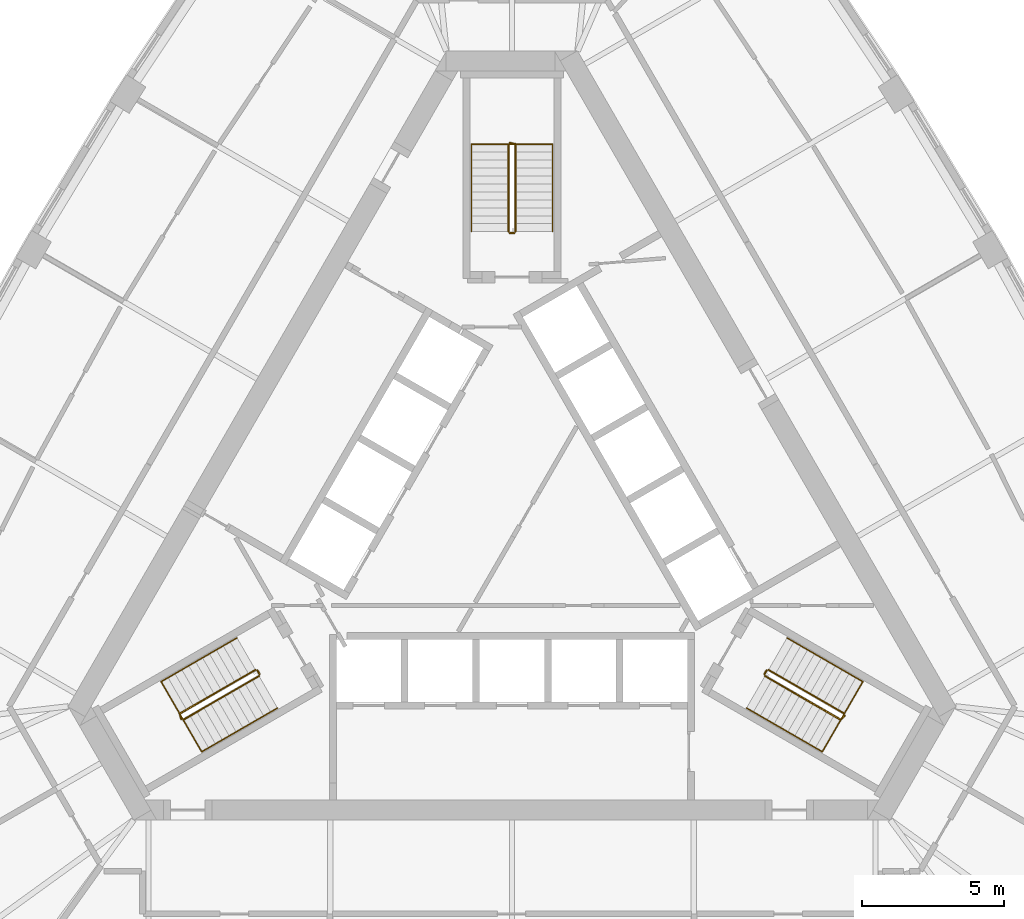
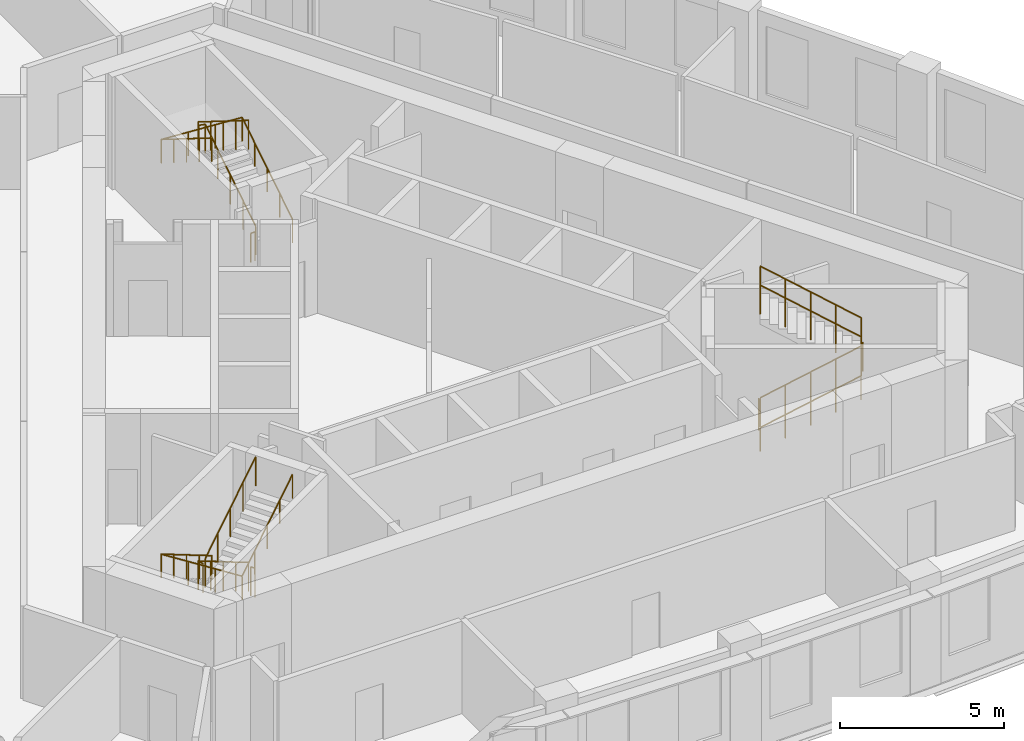
# One storey, part 11 of 11: 12 railings.
"""IFC4 building model written with IfcOpenShell, lengths in metres."""

from ifc_helpers import new_model, si_unit, direction, frame, origin, origin_2d, place, context, subcontext, project, spatial, circle, extrude, material, type_object, element, save


model = new_model("IFC4")

# Units and contexts
model_context = context("Model", 3, precision=1e-05, world=origin(), true_north=direction((0.0, 1.0)))
body_context = subcontext(model_context, "Body", "Model", "MODEL_VIEW")
ifc_project = project(units=[si_unit("LENGTHUNIT", "METRE"), si_unit("AREAUNIT", "SQUARE_METRE"), si_unit("VOLUMEUNIT", "CUBIC_METRE"), si_unit("PLANEANGLEUNIT", "RADIAN"), si_unit("MASSUNIT", "GRAM", prefix="KILO")], contexts=[model_context])

# Site, building, storey
site_placement = place(None, origin())
site = spatial("IfcSite", under=ifc_project, at=site_placement, CompositionType="ELEMENT")
building_placement = place(site_placement, origin())
building = spatial("IfcBuilding", under=site, at=building_placement, Name="Mestral Congress Tower", CompositionType="ELEMENT")
storey_placement = place(building_placement, frame((0.0, 0.0, 210.0)))
storey = spatial("IfcBuildingStorey", under=building, at=storey_placement, Name="L49", CompositionType="ELEMENT", Elevation=210.0)

# Railings
ifc_material_1 = material(Name="Steel balustrade", Category="steel")
railing_type_1 = type_object("IfcRailingType", Name="Stair guard 1100", PredefinedType="GUARDRAIL", material=ifc_material_1)
railing_1_placement = place(storey_placement, frame((8.90087890625, -5.283203125, 0.175048828125)))
element("IfcRailing", 1, at=railing_1_placement, inside=storey, type_object=railing_type_1, Name="L49 ST1 stair guard 1", PredefinedType="GUARDRAIL", context=body_context, shape_type="SweptSolid", body=[
    extrude(circle(Radius=0.02392578125, at=origin_2d()), frame((0.0, 0.0, 1.076171875), z_axis=(0.734364028329, -0.424015404183, 0.530019255228), x_axis=(0.500026652407, 0.866010015463, 0.0)), (0.0, 0.0, 1.0), 3.632080078125),
    extrude(circle(Radius=0.02392578125, at=origin_2d()), frame((2.667236328125, -1.5400390625, 3.0009765625), z_axis=(0.695164929852, 0.718850276695, 0.0), x_axis=(-0.718850276695, 0.695164929852, 0.0)), (0.0, 0.0, 1.0), 0.2060546875),
    extrude(circle(Radius=0.02099609375, at=origin_2d()), origin(), (0.0, 0.0, 1.0), 1.052001953125),
    extrude(circle(Radius=0.02099609375, at=origin_2d()), frame((0.666748046875, -0.385009765625, 0.481201171875)), (0.0, 0.0, 1.0), 1.052001953125),
    extrude(circle(Radius=0.02099609375, at=origin_2d()), frame((1.33349609375, -0.77001953125, 0.96240234375)), (0.0, 0.0, 1.0), 1.052001953125),
    extrude(circle(Radius=0.02099609375, at=origin_2d()), frame((2.00048828125, -1.155029296875, 1.44384765625)), (0.0, 0.0, 1.0), 1.052001953125),
    extrude(circle(Radius=0.02099609375, at=origin_2d()), frame((2.667236328125, -1.5400390625, 1.925048828125)), (0.0, 0.0, 1.0), 1.052001953125),
    extrude(circle(Radius=0.02099609375, at=origin_2d()), frame((2.810546875, -1.391845703125, 1.925048828125)), (0.0, 0.0, 1.0), 1.052001953125),
])
railing_2_placement = place(storey_placement, frame((11.693115234375, -6.606689453125, 2.27490234375)))
element("IfcRailing", 2, at=railing_2_placement, inside=storey, type_object=railing_type_1, Name="L49 ST1 stair guard 2", PredefinedType="GUARDRAIL", context=body_context, shape_type="SweptSolid", body=[
    extrude(circle(Radius=0.02392578125, at=origin_2d()), frame((0.0, 0.0, 1.076171875), z_axis=(-0.734364028329, 0.424015404183, 0.530019255228), x_axis=(-0.500026652407, -0.866010015463, 0.0)), (0.0, 0.0, 1.0), 3.632080078125),
    extrude(circle(Radius=0.02099609375, at=origin_2d()), origin(), (0.0, 0.0, 1.0), 1.052001953125),
    extrude(circle(Radius=0.02099609375, at=origin_2d()), frame((-0.666748046875, 0.385009765625, 0.481201171875)), (0.0, 0.0, 1.0), 1.052001953125),
    extrude(circle(Radius=0.02099609375, at=origin_2d()), frame((-1.33349609375, 0.77001953125, 0.96240234375)), (0.0, 0.0, 1.0), 1.052001953125),
    extrude(circle(Radius=0.02099609375, at=origin_2d()), frame((-2.00048828125, 1.155029296875, 1.44384765625)), (0.0, 0.0, 1.0), 1.052001953125),
    extrude(circle(Radius=0.02099609375, at=origin_2d()), frame((-2.667236328125, 1.5400390625, 1.925048828125)), (0.0, 0.0, 1.0), 1.052001953125),
])
railing_3_placement = place(storey_placement, frame((8.882568359375, -5.21484375, 0.0)))
element("IfcRailing", 3, at=railing_3_placement, inside=storey, type_object=railing_type_1, Name="L49 ST1 stair guard 3", PredefinedType="GUARDRAIL", context=body_context, shape_type="SweptSolid", body=[
    extrude(circle(Radius=0.02392578125, at=origin_2d()), frame((0.0, 0.0, 1.076171875), z_axis=(0.499816412211, 0.866131372301, 0.0), x_axis=(-0.866131372301, 0.499816412211, 0.0)), (0.0, 0.0, 1.0), 0.14990234375),
    extrude(circle(Radius=0.02099609375, at=origin_2d()), origin(), (0.0, 0.0, 1.0), 1.052001953125),
    extrude(circle(Radius=0.02099609375, at=origin_2d()), frame((0.074951171875, 0.1298828125, 0.0)), (0.0, 0.0, 1.0), 1.052001953125),
])
railing_4_placement = place(storey_placement, frame((0.125, 10.35009765625, 0.175048828125)))
element("IfcRailing", 4, at=railing_4_placement, inside=storey, type_object=railing_type_1, Name="L49 ST2 stair guard 1", PredefinedType="GUARDRAIL", context=body_context, shape_type="SweptSolid", body=[
    extrude(circle(Radius=0.02392578125, at=origin_2d()), frame((0.0, 0.0, 1.076171875), z_axis=(0.0, 0.847979421464, 0.530029150871), x_axis=(-1.0, 0.0, 0.0)), (0.0, 0.0, 1.0), 3.632080078125),
    extrude(circle(Radius=0.02392578125, at=origin_2d()), frame((0.0, 3.079833984375, 3.0009765625), z_axis=(-0.970072785993, 0.242814311512, 0.0), x_axis=(-0.242814311512, -0.970072785993, 0.0)), (0.0, 0.0, 1.0), 0.2060546875),
    extrude(circle(Radius=0.02099609375, at=origin_2d()), origin(), (0.0, 0.0, 1.0), 1.052001953125),
    extrude(circle(Radius=0.02099609375, at=origin_2d()), frame((0.0, 0.77001953125, 0.481201171875)), (0.0, 0.0, 1.0), 1.052001953125),
    extrude(circle(Radius=0.02099609375, at=origin_2d()), frame((0.0, 1.5400390625, 0.96240234375)), (0.0, 0.0, 1.0), 1.052001953125),
    extrude(circle(Radius=0.02099609375, at=origin_2d()), frame((0.0, 2.309814453125, 1.44384765625)), (0.0, 0.0, 1.0), 1.052001953125),
    extrude(circle(Radius=0.02099609375, at=origin_2d()), frame((0.0, 3.079833984375, 1.925048828125)), (0.0, 0.0, 1.0), 1.052001953125),
    extrude(circle(Radius=0.02099609375, at=origin_2d()), frame((-0.199951171875, 3.1298828125, 1.925048828125)), (0.0, 0.0, 1.0), 1.052001953125),
])
railing_5_placement = place(storey_placement, frame((-0.125, 13.429931640625, 2.27490234375)))
element("IfcRailing", 5, at=railing_5_placement, inside=storey, type_object=railing_type_1, Name="L49 ST2 stair guard 2", PredefinedType="GUARDRAIL", context=body_context, shape_type="SweptSolid", body=[
    extrude(circle(Radius=0.02392578125, at=origin_2d()), frame((0.0, 0.0, 1.076171875), z_axis=(0.0, -0.847979421464, 0.530029150871), x_axis=(1.0, 0.0, 0.0)), (0.0, 0.0, 1.0), 3.632080078125),
    extrude(circle(Radius=0.02099609375, at=origin_2d()), origin(), (0.0, 0.0, 1.0), 1.052001953125),
    extrude(circle(Radius=0.02099609375, at=origin_2d()), frame((0.0, -0.77001953125, 0.481201171875)), (0.0, 0.0, 1.0), 1.052001953125),
    extrude(circle(Radius=0.02099609375, at=origin_2d()), frame((0.0, -1.5400390625, 0.96240234375)), (0.0, 0.0, 1.0), 1.052001953125),
    extrude(circle(Radius=0.02099609375, at=origin_2d()), frame((0.0, -2.309814453125, 1.44384765625)), (0.0, 0.0, 1.0), 1.052001953125),
    extrude(circle(Radius=0.02099609375, at=origin_2d()), frame((0.0, -3.079833984375, 1.925048828125)), (0.0, 0.0, 1.0), 1.052001953125),
])
railing_6_placement = place(storey_placement, frame((0.074951171875, 10.300048828125, 0.0)))
element("IfcRailing", 6, at=railing_6_placement, inside=storey, type_object=railing_type_1, Name="L49 ST2 stair guard 3", PredefinedType="GUARDRAIL", context=body_context, shape_type="SweptSolid", body=[
    extrude(circle(Radius=0.02392578125, at=origin_2d()), frame((0.0, 0.0, 1.076171875), z_axis=(-1.0, 0.0, 0.0), x_axis=(0.0, -1.0, 0.0)), (0.0, 0.0, 1.0), 0.14990234375),
    extrude(circle(Radius=0.02099609375, at=origin_2d()), origin(), (0.0, 0.0, 1.0), 1.052001953125),
    extrude(circle(Radius=0.02099609375, at=origin_2d()), frame((-0.14990234375, 0.0, 0.0)), (0.0, 0.0, 1.0), 1.052001953125),
])
railing_7_placement = place(storey_placement, frame((-9.02587890625, -5.066650390625, 0.175048828125)))
element("IfcRailing", 7, at=railing_7_placement, inside=storey, type_object=railing_type_1, Name="L49 ST3 stair guard 1", PredefinedType="GUARDRAIL", context=body_context, shape_type="SweptSolid", body=[
    extrude(circle(Radius=0.02392578125, at=origin_2d()), frame((0.0, 0.0, 1.076171875), z_axis=(-0.734364028329, -0.424015404183, 0.530019255228), x_axis=(0.500026652407, -0.866010015463, 0.0)), (0.0, 0.0, 1.0), 3.632080078125),
    extrude(circle(Radius=0.02392578125, at=origin_2d()), frame((-2.667236328125, -1.5400390625, 3.0009765625), z_axis=(0.274721127897, -0.961523947641, 0.0), x_axis=(0.961523947641, 0.274721127897, 0.0)), (0.0, 0.0, 1.0), 0.2060546875),
    extrude(circle(Radius=0.02099609375, at=origin_2d()), origin(), (0.0, 0.0, 1.0), 1.052001953125),
    extrude(circle(Radius=0.02099609375, at=origin_2d()), frame((-0.666748046875, -0.385009765625, 0.481201171875)), (0.0, 0.0, 1.0), 1.052001953125),
    extrude(circle(Radius=0.02099609375, at=origin_2d()), frame((-1.33349609375, -0.77001953125, 0.96240234375)), (0.0, 0.0, 1.0), 1.052001953125),
    extrude(circle(Radius=0.02099609375, at=origin_2d()), frame((-2.00048828125, -1.155029296875, 1.44384765625)), (0.0, 0.0, 1.0), 1.052001953125),
    extrude(circle(Radius=0.02099609375, at=origin_2d()), frame((-2.667236328125, -1.5400390625, 1.925048828125)), (0.0, 0.0, 1.0), 1.052001953125),
    extrude(circle(Radius=0.02099609375, at=origin_2d()), frame((-2.610595703125, -1.73828125, 1.925048828125)), (0.0, 0.0, 1.0), 1.052001953125),
])
railing_8_placement = place(storey_placement, frame((-11.568115234375, -6.8232421875, 2.27490234375)))
element("IfcRailing", 8, at=railing_8_placement, inside=storey, type_object=railing_type_1, Name="L49 ST3 stair guard 2", PredefinedType="GUARDRAIL", context=body_context, shape_type="SweptSolid", body=[
    extrude(circle(Radius=0.02392578125, at=origin_2d()), frame((0.0, 0.0, 1.076171875), z_axis=(0.734364028329, 0.424015404183, 0.530019255228), x_axis=(-0.500026652407, 0.866010015463, 0.0)), (0.0, 0.0, 1.0), 3.632080078125),
    extrude(circle(Radius=0.02099609375, at=origin_2d()), origin(), (0.0, 0.0, 1.0), 1.052001953125),
    extrude(circle(Radius=0.02099609375, at=origin_2d()), frame((0.666748046875, 0.385009765625, 0.481201171875)), (0.0, 0.0, 1.0), 1.052001953125),
    extrude(circle(Radius=0.02099609375, at=origin_2d()), frame((1.33349609375, 0.77001953125, 0.96240234375)), (0.0, 0.0, 1.0), 1.052001953125),
    extrude(circle(Radius=0.02099609375, at=origin_2d()), frame((2.00048828125, 1.155029296875, 1.44384765625)), (0.0, 0.0, 1.0), 1.052001953125),
    extrude(circle(Radius=0.02099609375, at=origin_2d()), frame((2.667236328125, 1.5400390625, 1.925048828125)), (0.0, 0.0, 1.0), 1.052001953125),
])
railing_9_placement = place(storey_placement, frame((-8.95751953125, -5.0849609375, 0.0)))
element("IfcRailing", 9, at=railing_9_placement, inside=storey, type_object=railing_type_1, Name="L49 ST3 stair guard 3", PredefinedType="GUARDRAIL", context=body_context, shape_type="SweptSolid", body=[
    extrude(circle(Radius=0.02392578125, at=origin_2d()), frame((0.0, 0.0, 1.076171875), z_axis=(0.499816412211, -0.866131372301, 0.0), x_axis=(0.866131372301, 0.499816412211, 0.0)), (0.0, 0.0, 1.0), 0.14990234375),
    extrude(circle(Radius=0.02099609375, at=origin_2d()), origin(), (0.0, 0.0, 1.0), 1.052001953125),
    extrude(circle(Radius=0.02099609375, at=origin_2d()), frame((0.074951171875, -0.1298828125, 0.0)), (0.0, 0.0, 1.0), 1.052001953125),
])
ifc_material_2 = material(Name="Steel handrail", Category="steel")
railing_type_2 = type_object("IfcRailingType", Name="Stair handrail 900", PredefinedType="HANDRAIL", material=ifc_material_2)
railing_10_placement = place(storey_placement, frame((8.2509765625, -6.4091796875, 0.175048828125)))
element("IfcRailing", 10, at=railing_10_placement, inside=storey, type_object=railing_type_2, Name="L49 ST1 stair handrail 1", PredefinedType="HANDRAIL", context=body_context, shape_type="SweptSolid", body=[
    extrude(circle(Radius=0.02392578125, at=origin_2d()), frame((0.0, 0.0, 0.8759765625), z_axis=(0.734384958227, -0.423960268333, 0.530034361155), x_axis=(0.499967199496, 0.866044340336, 0.0)), (0.0, 0.0, 1.0), 3.6318359375),
    extrude(circle(Radius=0.02392578125, at=origin_2d()), frame((2.667236328125, -1.539794921875, 2.80078125), z_axis=(0.499098383545, 0.864379914213, 0.061222279016), x_axis=(-0.866004402611, 0.500036373335, 0.0)), (0.0, 0.0, 1.0), 2.855224609375),
    extrude(circle(Radius=0.02392578125, at=origin_2d()), frame((4.09228515625, 0.92822265625, 2.9755859375), z_axis=(-0.734394994316, 0.423994474112, 0.52999309264), x_axis=(-0.499992328818, -0.866029832698, 0.0)), (0.0, 0.0, 1.0), 3.63232421875),
    extrude(circle(Radius=0.02099609375, at=origin_2d()), origin(), (0.0, 0.0, 1.0), 0.851806640625),
    extrude(circle(Radius=0.02099609375, at=origin_2d()), frame((0.666748046875, -0.385009765625, 0.481201171875)), (0.0, 0.0, 1.0), 0.851806640625),
    extrude(circle(Radius=0.02099609375, at=origin_2d()), frame((1.33349609375, -0.77001953125, 0.96240234375)), (0.0, 0.0, 1.0), 0.851806640625),
    extrude(circle(Radius=0.02099609375, at=origin_2d()), frame((2.00048828125, -1.15478515625, 1.44384765625)), (0.0, 0.0, 1.0), 0.851806640625),
    extrude(circle(Radius=0.02099609375, at=origin_2d()), frame((2.667236328125, -1.539794921875, 1.925048828125)), (0.0, 0.0, 1.0), 0.851806640625),
    extrude(circle(Radius=0.02099609375, at=origin_2d()), frame((3.142333984375, -0.717041015625, 1.9833984375)), (0.0, 0.0, 1.0), 0.851806640625),
    extrude(circle(Radius=0.02099609375, at=origin_2d()), frame((3.6171875, 0.10546875, 2.04150390625)), (0.0, 0.0, 1.0), 0.851806640625),
    extrude(circle(Radius=0.02099609375, at=origin_2d()), frame((4.09228515625, 0.92822265625, 2.099853515625)), (0.0, 0.0, 1.0), 0.851806640625),
    extrude(circle(Radius=0.02099609375, at=origin_2d()), frame((3.42529296875, 1.313232421875, 2.5810546875)), (0.0, 0.0, 1.0), 0.851806640625),
    extrude(circle(Radius=0.02099609375, at=origin_2d()), frame((2.758544921875, 1.6982421875, 3.0625)), (0.0, 0.0, 1.0), 0.851806640625),
    extrude(circle(Radius=0.02099609375, at=origin_2d()), frame((2.091796875, 2.083251953125, 3.543701171875)), (0.0, 0.0, 1.0), 0.851806640625),
    extrude(circle(Radius=0.02099609375, at=origin_2d()), frame((1.4248046875, 2.46826171875, 4.02490234375)), (0.0, 0.0, 1.0), 0.851806640625),
])
railing_11_placement = place(storey_placement, frame((1.425048828125, 10.35009765625, 0.175048828125)))
element("IfcRailing", 11, at=railing_11_placement, inside=storey, type_object=railing_type_2, Name="L49 ST2 stair handrail 1", PredefinedType="HANDRAIL", context=body_context, shape_type="SweptSolid", body=[
    extrude(circle(Radius=0.02392578125, at=origin_2d()), frame((0.0, 0.0, 0.8759765625), z_axis=(0.0, 0.847979421464, 0.530029150871), x_axis=(-1.0, 0.0, 0.0)), (0.0, 0.0, 1.0), 3.632080078125),
    extrude(circle(Radius=0.02392578125, at=origin_2d()), frame((0.0, 3.079833984375, 2.80078125), z_axis=(-0.998124429008, 0.0, 0.061217842314), x_axis=(0.0, -1.0, 0.0)), (0.0, 0.0, 1.0), 2.85546875),
    extrude(circle(Radius=0.02392578125, at=origin_2d()), frame((-2.85009765625, 3.079833984375, 2.9755859375), z_axis=(0.0, -0.847979421464, 0.530029150871), x_axis=(1.0, 0.0, 0.0)), (0.0, 0.0, 1.0), 3.632080078125),
    extrude(circle(Radius=0.02099609375, at=origin_2d()), origin(), (0.0, 0.0, 1.0), 0.851806640625),
    extrude(circle(Radius=0.02099609375, at=origin_2d()), frame((0.0, 0.77001953125, 0.481201171875)), (0.0, 0.0, 1.0), 0.851806640625),
    extrude(circle(Radius=0.02099609375, at=origin_2d()), frame((0.0, 1.5400390625, 0.96240234375)), (0.0, 0.0, 1.0), 0.851806640625),
    extrude(circle(Radius=0.02099609375, at=origin_2d()), frame((0.0, 2.309814453125, 1.44384765625)), (0.0, 0.0, 1.0), 0.851806640625),
    extrude(circle(Radius=0.02099609375, at=origin_2d()), frame((0.0, 3.079833984375, 1.925048828125)), (0.0, 0.0, 1.0), 0.851806640625),
    extrude(circle(Radius=0.02099609375, at=origin_2d()), frame((-0.949951171875, 3.079833984375, 1.9833984375)), (0.0, 0.0, 1.0), 0.851806640625),
    extrude(circle(Radius=0.02099609375, at=origin_2d()), frame((-1.900146484375, 3.079833984375, 2.04150390625)), (0.0, 0.0, 1.0), 0.851806640625),
    extrude(circle(Radius=0.02099609375, at=origin_2d()), frame((-2.85009765625, 3.079833984375, 2.099853515625)), (0.0, 0.0, 1.0), 0.851806640625),
    extrude(circle(Radius=0.02099609375, at=origin_2d()), frame((-2.85009765625, 2.309814453125, 2.5810546875)), (0.0, 0.0, 1.0), 0.851806640625),
    extrude(circle(Radius=0.02099609375, at=origin_2d()), frame((-2.85009765625, 1.5400390625, 3.0625)), (0.0, 0.0, 1.0), 0.851806640625),
    extrude(circle(Radius=0.02099609375, at=origin_2d()), frame((-2.85009765625, 0.77001953125, 3.543701171875)), (0.0, 0.0, 1.0), 0.851806640625),
    extrude(circle(Radius=0.02099609375, at=origin_2d()), frame((-2.85009765625, 0.0, 4.02490234375)), (0.0, 0.0, 1.0), 0.851806640625),
])
railing_12_placement = place(storey_placement, frame((-9.67578125, -3.94091796875, 0.175048828125)))
element("IfcRailing", 12, at=railing_12_placement, inside=storey, type_object=railing_type_2, Name="L49 ST3 stair handrail 1", PredefinedType="HANDRAIL", context=body_context, shape_type="SweptSolid", body=[
    extrude(circle(Radius=0.02392578125, at=origin_2d()), frame((0.0, 0.0, 0.8759765625), z_axis=(-0.734394994316, -0.423994474112, 0.52999309264), x_axis=(0.499992328818, -0.866029832698, 0.0)), (0.0, 0.0, 1.0), 3.63232421875),
    extrude(circle(Radius=0.02392578125, at=origin_2d()), frame((-2.66748046875, -1.5400390625, 2.80078125), z_axis=(0.499098383545, -0.864379914213, 0.061222279016), x_axis=(0.866004402611, 0.500036373335, 0.0)), (0.0, 0.0, 1.0), 2.855224609375),
    extrude(circle(Radius=0.02392578125, at=origin_2d()), frame((-1.242431640625, -4.008056640625, 2.9755859375), z_axis=(0.734384958227, 0.423960268333, 0.530034361155), x_axis=(-0.499967199496, 0.866044340336, 0.0)), (0.0, 0.0, 1.0), 3.6318359375),
    extrude(circle(Radius=0.02099609375, at=origin_2d()), origin(), (0.0, 0.0, 1.0), 0.851806640625),
    extrude(circle(Radius=0.02099609375, at=origin_2d()), frame((-0.6669921875, -0.385009765625, 0.481201171875)), (0.0, 0.0, 1.0), 0.851806640625),
    extrude(circle(Radius=0.02099609375, at=origin_2d()), frame((-1.333740234375, -0.77001953125, 0.96240234375)), (0.0, 0.0, 1.0), 0.851806640625),
    extrude(circle(Radius=0.02099609375, at=origin_2d()), frame((-2.00048828125, -1.155029296875, 1.44384765625)), (0.0, 0.0, 1.0), 0.851806640625),
    extrude(circle(Radius=0.02099609375, at=origin_2d()), frame((-2.66748046875, -1.5400390625, 1.925048828125)), (0.0, 0.0, 1.0), 0.851806640625),
    extrude(circle(Radius=0.02099609375, at=origin_2d()), frame((-2.1923828125, -2.36279296875, 1.9833984375)), (0.0, 0.0, 1.0), 0.851806640625),
    extrude(circle(Radius=0.02099609375, at=origin_2d()), frame((-1.717529296875, -3.185302734375, 2.04150390625)), (0.0, 0.0, 1.0), 0.851806640625),
    extrude(circle(Radius=0.02099609375, at=origin_2d()), frame((-1.242431640625, -4.008056640625, 2.099853515625)), (0.0, 0.0, 1.0), 0.851806640625),
    extrude(circle(Radius=0.02099609375, at=origin_2d()), frame((-0.57568359375, -3.623046875, 2.5810546875)), (0.0, 0.0, 1.0), 0.851806640625),
    extrude(circle(Radius=0.02099609375, at=origin_2d()), frame((0.09130859375, -3.23828125, 3.0625)), (0.0, 0.0, 1.0), 0.851806640625),
    extrude(circle(Radius=0.02099609375, at=origin_2d()), frame((0.758056640625, -2.853271484375, 3.543701171875)), (0.0, 0.0, 1.0), 0.851806640625),
    extrude(circle(Radius=0.02099609375, at=origin_2d()), frame((1.4248046875, -2.46826171875, 4.02490234375)), (0.0, 0.0, 1.0), 0.851806640625),
])

save(model, "model.ifc")
